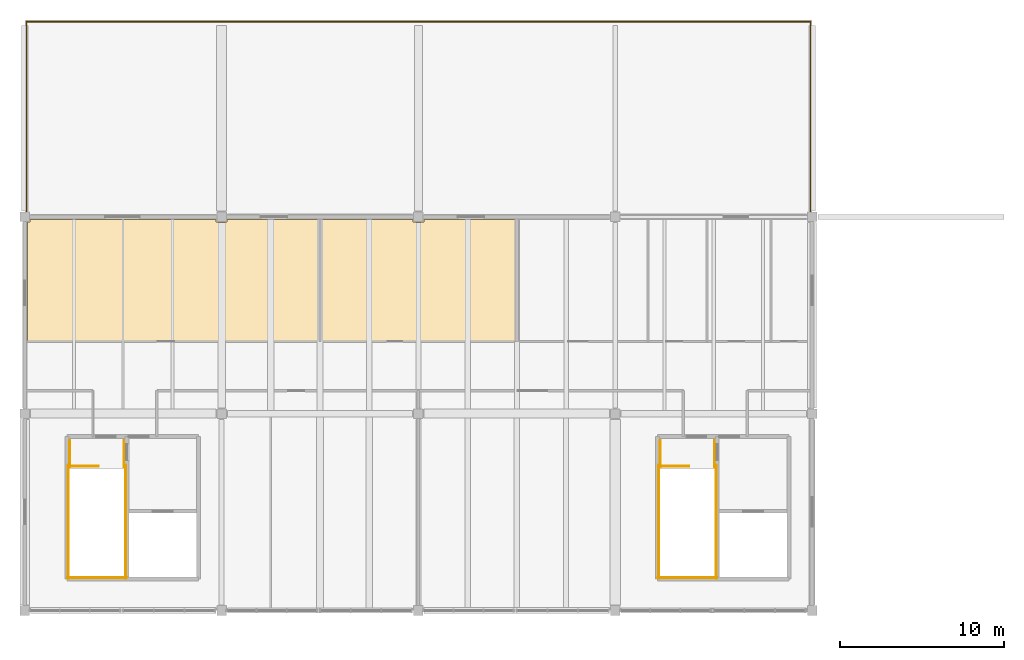
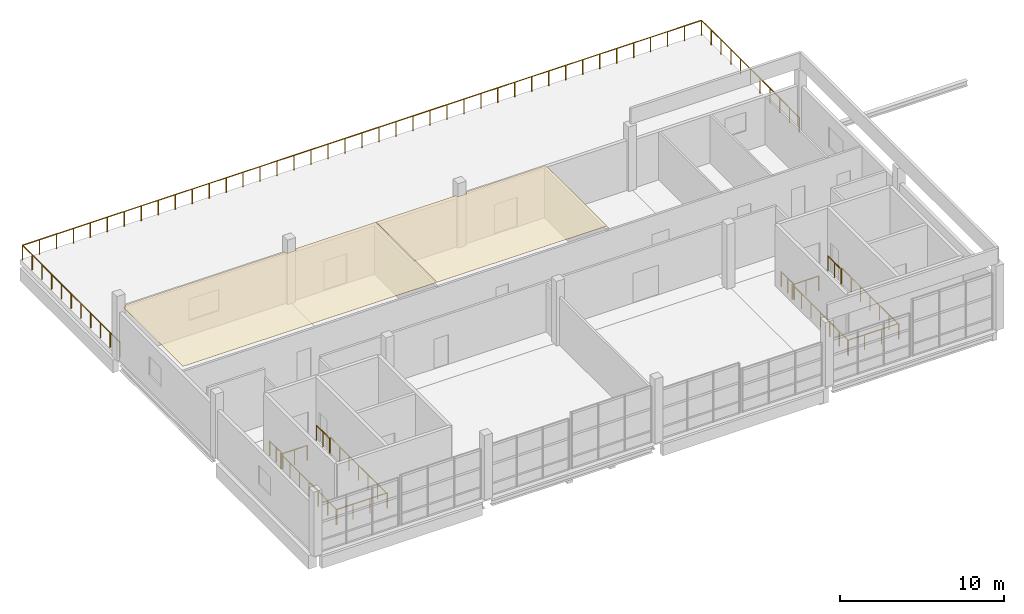
# One storey, part 8 of 8: 13 railings, 2 coverings.
"""IFC4 building model written with IfcOpenShell, lengths in metres."""

from ifc_helpers import new_model, si_unit, direction, frame, origin, origin_2d, place, context, subcontext, project, spatial, polyline, circle, outline, extrude, material, layer, layer_set, type_object, element, save


model = new_model("IFC4")

# Units and contexts
model_context = context("Model", 3, precision=1e-05, world=origin(), true_north=direction((0.0, 1.0)))
body_context = subcontext(model_context, "Body", "Model", "MODEL_VIEW")
ifc_project = project(units=[si_unit("LENGTHUNIT", "METRE"), si_unit("AREAUNIT", "SQUARE_METRE"), si_unit("VOLUMEUNIT", "CUBIC_METRE"), si_unit("PLANEANGLEUNIT", "RADIAN"), si_unit("MASSUNIT", "GRAM", prefix="KILO")], contexts=[model_context])

# Site, building, storey
site_placement = place(None, origin())
site = spatial("IfcSite", under=ifc_project, at=site_placement, CompositionType="ELEMENT")
building_placement = place(site_placement, origin())
building = spatial("IfcBuilding", under=site, at=building_placement, Name="Kamomehara Wholesale Market", CompositionType="ELEMENT")
storey_placement = place(building_placement, frame((0.0, 0.0, 16.199951171875)))
storey = spatial("IfcBuildingStorey", under=building, at=storey_placement, Name="L03", CompositionType="ELEMENT", Elevation=16.199951171875)

# Coverings
ifc_material_1 = material(Name="Acoustic mineral ceiling tile")
ifc_layer_1 = layer(ifc_material_1, 0.02490234375)
ifc_layer_set_1 = layer_set([ifc_layer_1], Name="Acoustic mineral ceiling tile")
covering_type_1 = type_object("IfcCoveringType", Name="COV-CEIL-01", PredefinedType="CEILING", material=ifc_layer_set_1)
covering_1_placement = place(storey_placement, frame((0.0, 0.0, 3.85009765625)))
element("IfcCovering", 1, at=covering_1_placement, inside=storey, type_object=covering_type_1, Name="Acoustic ceiling L03-04", PredefinedType="CEILING", context=body_context, shape_type="SweptSolid", body=[
    extrude(outline(polyline([(108.306884765625, 35.674072265625), (108.30810546875, 35.675048828125), (108.31005859375, 35.676025390625), (108.31103515625, 35.676025390625), (108.31201171875, 35.676025390625), (108.31298828125, 35.677001953125), (108.31298828125, 35.677001953125), (108.31396484375, 35.677978515625), (108.31591796875, 35.679931640625), (108.318115234375, 35.681884765625), (108.320068359375, 35.68408203125), (108.322021484375, 35.68603515625), (108.322998046875, 35.68701171875), (108.322998046875, 35.68701171875), (108.323974609375, 35.68798828125), (108.323974609375, 35.68896484375), (108.323974609375, 35.68994140625), (108.324951171875, 35.69189453125), (108.325927734375, 35.693115234375), (108.326904296875, 35.695068359375), (108.327880859375, 35.697021484375), (108.327880859375, 35.697021484375), (108.3291015625, 35.697998046875), (108.3291015625, 35.698974609375), (108.3291015625, 35.699951171875), (108.3291015625, 35.700927734375), (108.3291015625, 35.701904296875), (108.3291015625, 35.7041015625), (108.330078125, 35.705078125), (108.330078125, 35.7060546875), (108.330078125, 35.70703125), (108.330078125, 35.840087890625), (119.669921875, 35.840087890625), (119.669921875, 35.70703125), (119.669921875, 35.7060546875), (119.669921875, 35.705078125), (119.6708984375, 35.7041015625), (119.6708984375, 35.701904296875), (119.6708984375, 35.700927734375), (119.6708984375, 35.699951171875), (119.6708984375, 35.698974609375), (119.6708984375, 35.697998046875), (119.672119140625, 35.697021484375), (119.672119140625, 35.697021484375), (119.673095703125, 35.695068359375), (119.674072265625, 35.693115234375), (119.675048828125, 35.69189453125), (119.676025390625, 35.68994140625), (119.676025390625, 35.68896484375), (119.676025390625, 35.68798828125), (119.677001953125, 35.68701171875), (119.677001953125, 35.68701171875), (119.677978515625, 35.68603515625), (119.679931640625, 35.68408203125), (119.681884765625, 35.681884765625), (119.68408203125, 35.679931640625), (119.68603515625, 35.677978515625), (119.68701171875, 35.677001953125), (119.68701171875, 35.677001953125), (119.68798828125, 35.676025390625), (119.68896484375, 35.676025390625), (119.68994140625, 35.676025390625), (119.69189453125, 35.675048828125), (119.693115234375, 35.674072265625), (119.695068359375, 35.673095703125), (119.697021484375, 35.672119140625), (119.697021484375, 35.672119140625), (119.697998046875, 35.6708984375), (119.698974609375, 35.6708984375), (119.699951171875, 35.6708984375), (119.700927734375, 35.6708984375), (119.701904296875, 35.6708984375), (119.7041015625, 35.6708984375), (119.705078125, 35.669921875), (119.7060546875, 35.669921875), (119.70703125, 35.669921875), (120.29296875, 35.669921875), (120.2939453125, 35.669921875), (120.294921875, 35.669921875), (120.2958984375, 35.6708984375), (120.298095703125, 35.6708984375), (120.299072265625, 35.6708984375), (120.300048828125, 35.6708984375), (120.301025390625, 35.6708984375), (120.302001953125, 35.6708984375), (120.302978515625, 35.672119140625), (120.302978515625, 35.672119140625), (120.304931640625, 35.673095703125), (120.306884765625, 35.674072265625), (120.30810546875, 35.675048828125), (120.31005859375, 35.676025390625), (120.31103515625, 35.676025390625), (120.31201171875, 35.676025390625), (120.31298828125, 35.677001953125), (120.31298828125, 35.677001953125), (120.31396484375, 35.677978515625), (120.31591796875, 35.679931640625), (120.318115234375, 35.681884765625), (120.320068359375, 35.68408203125), (120.322021484375, 35.68603515625), (120.322998046875, 35.68701171875), (120.322998046875, 35.68701171875), (120.323974609375, 35.68798828125), (120.323974609375, 35.68896484375), (120.323974609375, 35.68994140625), (120.324951171875, 35.69189453125), (120.325927734375, 35.693115234375), (120.326904296875, 35.695068359375), (120.327880859375, 35.697021484375), (120.327880859375, 35.697021484375), (120.3291015625, 35.697998046875), (120.3291015625, 35.698974609375), (120.3291015625, 35.699951171875), (120.3291015625, 35.700927734375), (120.3291015625, 35.701904296875), (120.3291015625, 35.7041015625), (120.330078125, 35.705078125), (120.330078125, 35.7060546875), (120.330078125, 35.70703125), (120.330078125, 35.840087890625), (125.989990234375, 35.840087890625), (125.989990234375, 28.429931640625), (108.159912109375, 28.429931640625), (108.159912109375, 35.669921875), (108.29296875, 35.669921875), (108.2939453125, 35.669921875), (108.294921875, 35.669921875), (108.2958984375, 35.6708984375), (108.298095703125, 35.6708984375), (108.299072265625, 35.6708984375), (108.300048828125, 35.6708984375), (108.301025390625, 35.6708984375), (108.302001953125, 35.6708984375), (108.302978515625, 35.672119140625), (108.302978515625, 35.672119140625), (108.304931640625, 35.673095703125), (108.306884765625, 35.674072265625)])), origin(), (0.0, 0.0, 1.0), 0.02490234375),
])
ifc_material_2 = material(Name="Acoustic mineral ceiling tile")
ifc_layer_2 = layer(ifc_material_2, 0.034912109375)
ifc_layer_set_2 = layer_set([ifc_layer_2], Name="Acoustic mineral ceiling tile")
covering_type_2 = type_object("IfcCoveringType", Name="COV-CEIL-02", PredefinedType="CEILING", material=ifc_layer_set_2)
covering_2_placement = place(storey_placement, frame((0.0, 0.0, 3.85009765625)))
element("IfcCovering", 2, at=covering_2_placement, inside=storey, type_object=covering_type_2, Name="Acoustic ceiling L03-05", PredefinedType="CEILING", context=body_context, shape_type="SweptSolid", body=[
    extrude(outline(polyline([(131.673095703125, 35.695068359375), (131.674072265625, 35.693115234375), (131.675048828125, 35.69189453125), (131.676025390625, 35.68994140625), (131.676025390625, 35.68896484375), (131.676025390625, 35.68798828125), (131.677001953125, 35.68701171875), (131.677001953125, 35.68701171875), (131.677978515625, 35.68603515625), (131.679931640625, 35.68408203125), (131.681884765625, 35.681884765625), (131.68408203125, 35.679931640625), (131.68603515625, 35.677978515625), (131.68701171875, 35.677001953125), (131.68701171875, 35.677001953125), (131.68798828125, 35.676025390625), (131.68896484375, 35.676025390625), (131.68994140625, 35.676025390625), (131.69189453125, 35.675048828125), (131.693115234375, 35.674072265625), (131.695068359375, 35.673095703125), (131.697021484375, 35.672119140625), (131.697021484375, 35.672119140625), (131.697998046875, 35.6708984375), (131.698974609375, 35.6708984375), (131.699951171875, 35.6708984375), (131.700927734375, 35.6708984375), (131.701904296875, 35.6708984375), (131.7041015625, 35.6708984375), (131.705078125, 35.669921875), (131.7060546875, 35.669921875), (131.70703125, 35.669921875), (132.29296875, 35.669921875), (132.2939453125, 35.669921875), (132.294921875, 35.669921875), (132.2958984375, 35.6708984375), (132.298095703125, 35.6708984375), (132.299072265625, 35.6708984375), (132.300048828125, 35.6708984375), (132.301025390625, 35.6708984375), (132.302001953125, 35.6708984375), (132.302978515625, 35.672119140625), (132.302978515625, 35.672119140625), (132.304931640625, 35.673095703125), (132.306884765625, 35.674072265625), (132.30810546875, 35.675048828125), (132.31005859375, 35.676025390625), (132.31103515625, 35.676025390625), (132.31201171875, 35.676025390625), (132.31298828125, 35.677001953125), (132.31298828125, 35.677001953125), (132.31396484375, 35.677978515625), (132.31591796875, 35.679931640625), (132.318115234375, 35.681884765625), (132.320068359375, 35.68408203125), (132.322021484375, 35.68603515625), (132.322998046875, 35.68701171875), (132.322998046875, 35.68701171875), (132.323974609375, 35.68798828125), (132.323974609375, 35.68896484375), (132.323974609375, 35.68994140625), (132.324951171875, 35.69189453125), (132.325927734375, 35.693115234375), (132.326904296875, 35.695068359375), (132.327880859375, 35.697021484375), (132.327880859375, 35.697021484375), (132.3291015625, 35.697998046875), (132.3291015625, 35.698974609375), (132.3291015625, 35.699951171875), (132.3291015625, 35.700927734375), (132.3291015625, 35.701904296875), (132.3291015625, 35.7041015625), (132.330078125, 35.705078125), (132.330078125, 35.7060546875), (132.330078125, 35.70703125), (132.330078125, 35.840087890625), (137.989990234375, 35.840087890625), (137.989990234375, 28.429931640625), (126.030029296875, 28.429931640625), (126.030029296875, 35.840087890625), (131.669921875, 35.840087890625), (131.669921875, 35.70703125), (131.669921875, 35.7060546875), (131.669921875, 35.705078125), (131.6708984375, 35.7041015625), (131.6708984375, 35.701904296875), (131.6708984375, 35.700927734375), (131.6708984375, 35.699951171875), (131.6708984375, 35.698974609375), (131.6708984375, 35.697998046875), (131.672119140625, 35.697021484375), (131.672119140625, 35.697021484375), (131.673095703125, 35.695068359375)])), origin(), (0.0, 0.0, 1.0), 0.02490234375),
])

# Railings
ifc_material_3 = material(Name="Steel SN400B", Category="steel")
railing_type_1 = type_object("IfcRailingType", Name="RAL-EXT-1100", PredefinedType="BALUSTRADE", material=ifc_material_3)
railing_1_placement = place(storey_placement, frame((108.10009765625, 36.0, 0.0)))
element("IfcRailing", 3, at=railing_1_placement, inside=storey, type_object=railing_type_1, Name="Terrace guard OSLB-L03-TER3 8", PredefinedType="BALUSTRADE", context=body_context, shape_type="SweptSolid", body=[
    extrude(circle(Radius=0.02392578125, at=origin_2d()), frame((0.0, 0.0, 1.09619140625), z_axis=(0.0, 1.0, 0.0), x_axis=(-1.0, 0.0, 0.0)), (0.0, 0.0, 1.0), 11.89990234375),
    extrude(circle(Radius=0.02392578125, at=origin_2d()), frame((0.0, 11.89990234375, 1.09619140625), z_axis=(1.0, 0.0, 0.0), x_axis=(0.0, 1.0, 0.0)), (0.0, 0.0, 1.0), 47.7998046875),
    extrude(circle(Radius=0.02392578125, at=origin_2d()), frame((47.7998046875, 11.89990234375, 1.09619140625), z_axis=(0.0, -1.0, 0.0), x_axis=(1.0, 0.0, 0.0)), (0.0, 0.0, 1.0), 11.89990234375),
    extrude(circle(Radius=0.02099609375, at=origin_2d()), origin(), (0.0, 0.0, 1.0), 1.072021484375),
    extrude(circle(Radius=0.02099609375, at=origin_2d()), frame((0.0, 1.18994140625, 0.0)), (0.0, 0.0, 1.0), 1.072021484375),
    extrude(circle(Radius=0.02099609375, at=origin_2d()), frame((0.0, 2.3798828125, 0.0)), (0.0, 0.0, 1.0), 1.072021484375),
    extrude(circle(Radius=0.02099609375, at=origin_2d()), frame((0.0, 3.570068359375, 0.0)), (0.0, 0.0, 1.0), 1.072021484375),
    extrude(circle(Radius=0.02099609375, at=origin_2d()), frame((0.0, 4.760009765625, 0.0)), (0.0, 0.0, 1.0), 1.072021484375),
    extrude(circle(Radius=0.02099609375, at=origin_2d()), frame((0.0, 5.949951171875, 0.0)), (0.0, 0.0, 1.0), 1.072021484375),
    extrude(circle(Radius=0.02099609375, at=origin_2d()), frame((0.0, 7.139892578125, 0.0)), (0.0, 0.0, 1.0), 1.072021484375),
    extrude(circle(Radius=0.02099609375, at=origin_2d()), frame((0.0, 8.329833984375, 0.0)), (0.0, 0.0, 1.0), 1.072021484375),
    extrude(circle(Radius=0.02099609375, at=origin_2d()), frame((0.0, 9.52001953125, 0.0)), (0.0, 0.0, 1.0), 1.072021484375),
    extrude(circle(Radius=0.02099609375, at=origin_2d()), frame((0.0, 10.7099609375, 0.0)), (0.0, 0.0, 1.0), 1.072021484375),
    extrude(circle(Radius=0.02099609375, at=origin_2d()), frame((0.0, 11.89990234375, 0.0)), (0.0, 0.0, 1.0), 1.072021484375),
    extrude(circle(Radius=0.02099609375, at=origin_2d()), frame((1.195068359375, 11.89990234375, 0.0)), (0.0, 0.0, 1.0), 1.072021484375),
    extrude(circle(Radius=0.02099609375, at=origin_2d()), frame((2.389892578125, 11.89990234375, 0.0)), (0.0, 0.0, 1.0), 1.072021484375),
    extrude(circle(Radius=0.02099609375, at=origin_2d()), frame((3.5849609375, 11.89990234375, 0.0)), (0.0, 0.0, 1.0), 1.072021484375),
    extrude(circle(Radius=0.02099609375, at=origin_2d()), frame((4.780029296875, 11.89990234375, 0.0)), (0.0, 0.0, 1.0), 1.072021484375),
    extrude(circle(Radius=0.02099609375, at=origin_2d()), frame((5.97509765625, 11.89990234375, 0.0)), (0.0, 0.0, 1.0), 1.072021484375),
    extrude(circle(Radius=0.02099609375, at=origin_2d()), frame((7.169921875, 11.89990234375, 0.0)), (0.0, 0.0, 1.0), 1.072021484375),
    extrude(circle(Radius=0.02099609375, at=origin_2d()), frame((8.364990234375, 11.89990234375, 0.0)), (0.0, 0.0, 1.0), 1.072021484375),
    extrude(circle(Radius=0.02099609375, at=origin_2d()), frame((9.56005859375, 11.89990234375, 0.0)), (0.0, 0.0, 1.0), 1.072021484375),
    extrude(circle(Radius=0.02099609375, at=origin_2d()), frame((10.7548828125, 11.89990234375, 0.0)), (0.0, 0.0, 1.0), 1.072021484375),
    extrude(circle(Radius=0.02099609375, at=origin_2d()), frame((11.949951171875, 11.89990234375, 0.0)), (0.0, 0.0, 1.0), 1.072021484375),
    extrude(circle(Radius=0.02099609375, at=origin_2d()), frame((13.14501953125, 11.89990234375, 0.0)), (0.0, 0.0, 1.0), 1.072021484375),
    extrude(circle(Radius=0.02099609375, at=origin_2d()), frame((14.33984375, 11.89990234375, 0.0)), (0.0, 0.0, 1.0), 1.072021484375),
    extrude(circle(Radius=0.02099609375, at=origin_2d()), frame((15.534912109375, 11.89990234375, 0.0)), (0.0, 0.0, 1.0), 1.072021484375),
    extrude(circle(Radius=0.02099609375, at=origin_2d()), frame((16.72998046875, 11.89990234375, 0.0)), (0.0, 0.0, 1.0), 1.072021484375),
    extrude(circle(Radius=0.02099609375, at=origin_2d()), frame((17.9248046875, 11.89990234375, 0.0)), (0.0, 0.0, 1.0), 1.072021484375),
    extrude(circle(Radius=0.02099609375, at=origin_2d()), frame((19.119873046875, 11.89990234375, 0.0)), (0.0, 0.0, 1.0), 1.072021484375),
    extrude(circle(Radius=0.02099609375, at=origin_2d()), frame((20.31494140625, 11.89990234375, 0.0)), (0.0, 0.0, 1.0), 1.072021484375),
    extrude(circle(Radius=0.02099609375, at=origin_2d()), frame((21.510009765625, 11.89990234375, 0.0)), (0.0, 0.0, 1.0), 1.072021484375),
    extrude(circle(Radius=0.02099609375, at=origin_2d()), frame((22.704833984375, 11.89990234375, 0.0)), (0.0, 0.0, 1.0), 1.072021484375),
    extrude(circle(Radius=0.02099609375, at=origin_2d()), frame((23.89990234375, 11.89990234375, 0.0)), (0.0, 0.0, 1.0), 1.072021484375),
    extrude(circle(Radius=0.02099609375, at=origin_2d()), frame((25.094970703125, 11.89990234375, 0.0)), (0.0, 0.0, 1.0), 1.072021484375),
    extrude(circle(Radius=0.02099609375, at=origin_2d()), frame((26.289794921875, 11.89990234375, 0.0)), (0.0, 0.0, 1.0), 1.072021484375),
    extrude(circle(Radius=0.02099609375, at=origin_2d()), frame((27.48486328125, 11.89990234375, 0.0)), (0.0, 0.0, 1.0), 1.072021484375),
    extrude(circle(Radius=0.02099609375, at=origin_2d()), frame((28.679931640625, 11.89990234375, 0.0)), (0.0, 0.0, 1.0), 1.072021484375),
    extrude(circle(Radius=0.02099609375, at=origin_2d()), frame((29.875, 11.89990234375, 0.0)), (0.0, 0.0, 1.0), 1.072021484375),
    extrude(circle(Radius=0.02099609375, at=origin_2d()), frame((31.06982421875, 11.89990234375, 0.0)), (0.0, 0.0, 1.0), 1.072021484375),
    extrude(circle(Radius=0.02099609375, at=origin_2d()), frame((32.264892578125, 11.89990234375, 0.0)), (0.0, 0.0, 1.0), 1.072021484375),
    extrude(circle(Radius=0.02099609375, at=origin_2d()), frame((33.4599609375, 11.89990234375, 0.0)), (0.0, 0.0, 1.0), 1.072021484375),
    extrude(circle(Radius=0.02099609375, at=origin_2d()), frame((34.65478515625, 11.89990234375, 0.0)), (0.0, 0.0, 1.0), 1.072021484375),
    extrude(circle(Radius=0.02099609375, at=origin_2d()), frame((35.849853515625, 11.89990234375, 0.0)), (0.0, 0.0, 1.0), 1.072021484375),
    extrude(circle(Radius=0.02099609375, at=origin_2d()), frame((37.044921875, 11.89990234375, 0.0)), (0.0, 0.0, 1.0), 1.072021484375),
    extrude(circle(Radius=0.02099609375, at=origin_2d()), frame((38.23974609375, 11.89990234375, 0.0)), (0.0, 0.0, 1.0), 1.072021484375),
    extrude(circle(Radius=0.02099609375, at=origin_2d()), frame((39.434814453125, 11.89990234375, 0.0)), (0.0, 0.0, 1.0), 1.072021484375),
    extrude(circle(Radius=0.02099609375, at=origin_2d()), frame((40.6298828125, 11.89990234375, 0.0)), (0.0, 0.0, 1.0), 1.072021484375),
    extrude(circle(Radius=0.02099609375, at=origin_2d()), frame((41.82470703125, 11.89990234375, 0.0)), (0.0, 0.0, 1.0), 1.072021484375),
    extrude(circle(Radius=0.02099609375, at=origin_2d()), frame((43.019775390625, 11.89990234375, 0.0)), (0.0, 0.0, 1.0), 1.072021484375),
    extrude(circle(Radius=0.02099609375, at=origin_2d()), frame((44.21484375, 11.89990234375, 0.0)), (0.0, 0.0, 1.0), 1.072021484375),
    extrude(circle(Radius=0.02099609375, at=origin_2d()), frame((45.409912109375, 11.89990234375, 0.0)), (0.0, 0.0, 1.0), 1.072021484375),
    extrude(circle(Radius=0.02099609375, at=origin_2d()), frame((46.604736328125, 11.89990234375, 0.0)), (0.0, 0.0, 1.0), 1.072021484375),
    extrude(circle(Radius=0.02099609375, at=origin_2d()), frame((47.7998046875, 11.89990234375, 0.0)), (0.0, 0.0, 1.0), 1.072021484375),
    extrude(circle(Radius=0.02099609375, at=origin_2d()), frame((47.7998046875, 10.7099609375, 0.0)), (0.0, 0.0, 1.0), 1.072021484375),
    extrude(circle(Radius=0.02099609375, at=origin_2d()), frame((47.7998046875, 9.52001953125, 0.0)), (0.0, 0.0, 1.0), 1.072021484375),
    extrude(circle(Radius=0.02099609375, at=origin_2d()), frame((47.7998046875, 8.329833984375, 0.0)), (0.0, 0.0, 1.0), 1.072021484375),
    extrude(circle(Radius=0.02099609375, at=origin_2d()), frame((47.7998046875, 7.139892578125, 0.0)), (0.0, 0.0, 1.0), 1.072021484375),
    extrude(circle(Radius=0.02099609375, at=origin_2d()), frame((47.7998046875, 5.949951171875, 0.0)), (0.0, 0.0, 1.0), 1.072021484375),
    extrude(circle(Radius=0.02099609375, at=origin_2d()), frame((47.7998046875, 4.760009765625, 0.0)), (0.0, 0.0, 1.0), 1.072021484375),
    extrude(circle(Radius=0.02099609375, at=origin_2d()), frame((47.7998046875, 3.570068359375, 0.0)), (0.0, 0.0, 1.0), 1.072021484375),
    extrude(circle(Radius=0.02099609375, at=origin_2d()), frame((47.7998046875, 2.3798828125, 0.0)), (0.0, 0.0, 1.0), 1.072021484375),
    extrude(circle(Radius=0.02099609375, at=origin_2d()), frame((47.7998046875, 1.18994140625, 0.0)), (0.0, 0.0, 1.0), 1.072021484375),
    extrude(circle(Radius=0.02099609375, at=origin_2d()), frame((47.7998046875, 0.0, 0.0)), (0.0, 0.0, 1.0), 1.072021484375),
])
ifc_material_4 = material(Name="Steel SN400B", Category="steel")
railing_type_2 = type_object("IfcRailingType", Name="RAL-INT-1100", PredefinedType="BALUSTRADE", material=ifc_material_4)
railing_2_placement = place(storey_placement, frame((110.699951171875, 20.800048828125, 0.0)))
element("IfcRailing", 4, at=railing_2_placement, inside=storey, type_object=railing_type_2, Name="L03 ST-07 top well guard 1", PredefinedType="BALUSTRADE", context=body_context, shape_type="SweptSolid", body=[
    extrude(circle(Radius=0.02392578125, at=origin_2d()), frame((0.0, 0.0, 1.09619140625), z_axis=(1.0, 0.0, 0.0), x_axis=(0.0, 1.0, 0.0)), (0.0, 0.0, 1.0), 1.800048828125),
    extrude(circle(Radius=0.02099609375, at=origin_2d()), origin(), (0.0, 0.0, 1.0), 1.072021484375),
    extrude(circle(Radius=0.02099609375, at=origin_2d()), frame((0.89990234375, 0.0, 0.0)), (0.0, 0.0, 1.0), 1.072021484375),
    extrude(circle(Radius=0.02099609375, at=origin_2d()), frame((1.800048828125, 0.0, 0.0)), (0.0, 0.0, 1.0), 1.072021484375),
])
for number, where, name in (
    (5, (110.64990234375, 20.85009765625, 0.0), "L03 ST-07 top well guard 2"),
    (6, (114.14990234375, 20.85009765625, 0.0), "L03 ST-07 top well guard 3"),
):
    element("IfcRailing", number, at=place(storey_placement, frame(where)), inside=storey, type_object=railing_type_2, Name=name, PredefinedType="BALUSTRADE", context=body_context, shape_type="SweptSolid", body=[
        extrude(circle(Radius=0.02392578125, at=origin_2d()), frame((0.0, 0.0, 1.09619140625), z_axis=(0.0, -1.0, 0.0), x_axis=(1.0, 0.0, 0.0)), (0.0, 0.0, 1.0), 6.900146484375),
        extrude(circle(Radius=0.02099609375, at=origin_2d()), origin(), (0.0, 0.0, 1.0), 1.072021484375),
        extrude(circle(Radius=0.02099609375, at=origin_2d()), frame((0.0, -1.14990234375, 0.0)), (0.0, 0.0, 1.0), 1.072021484375),
        extrude(circle(Radius=0.02099609375, at=origin_2d()), frame((0.0, -2.300048828125, 0.0)), (0.0, 0.0, 1.0), 1.072021484375),
        extrude(circle(Radius=0.02099609375, at=origin_2d()), frame((0.0, -3.4501953125, 0.0)), (0.0, 0.0, 1.0), 1.072021484375),
        extrude(circle(Radius=0.02099609375, at=origin_2d()), frame((0.0, -4.60009765625, 0.0)), (0.0, 0.0, 1.0), 1.072021484375),
        extrude(circle(Radius=0.02099609375, at=origin_2d()), frame((0.0, -5.75, 0.0)), (0.0, 0.0, 1.0), 1.072021484375),
        extrude(circle(Radius=0.02099609375, at=origin_2d()), frame((0.0, -6.900146484375, 0.0)), (0.0, 0.0, 1.0), 1.072021484375),
    ])
railing_3_placement = place(storey_placement, frame((110.60009765625, 14.0, 0.0)))
element("IfcRailing", 7, at=railing_3_placement, inside=storey, type_object=railing_type_2, Name="L03 ST-07 top well guard 4", PredefinedType="BALUSTRADE", context=body_context, shape_type="SweptSolid", body=[
    extrude(circle(Radius=0.02392578125, at=origin_2d()), frame((0.0, 0.0, 1.09619140625), z_axis=(1.0, 0.0, 0.0), x_axis=(0.0, 1.0, 0.0)), (0.0, 0.0, 1.0), 3.599853515625),
    extrude(circle(Radius=0.02099609375, at=origin_2d()), origin(), (0.0, 0.0, 1.0), 1.072021484375),
    extrude(circle(Radius=0.02099609375, at=origin_2d()), frame((1.199951171875, 0.0, 0.0)), (0.0, 0.0, 1.0), 1.072021484375),
    extrude(circle(Radius=0.02099609375, at=origin_2d()), frame((2.39990234375, 0.0, 0.0)), (0.0, 0.0, 1.0), 1.072021484375),
    extrude(circle(Radius=0.02099609375, at=origin_2d()), frame((3.599853515625, 0.0, 0.0)), (0.0, 0.0, 1.0), 1.072021484375),
])
for number, where, name in (
    (8, (110.75, 22.35009765625, 0.0), "L03 ST-07 top well guard 5"),
    (9, (114.050048828125, 22.35009765625, 0.0), "L03 ST-07 top well guard 6"),
):
    element("IfcRailing", number, at=place(storey_placement, frame(where)), inside=storey, type_object=railing_type_2, Name=name, PredefinedType="BALUSTRADE", context=body_context, shape_type="SweptSolid", body=[
        extrude(circle(Radius=0.02392578125, at=origin_2d()), frame((0.0, 0.0, 1.09619140625), z_axis=(0.0, -1.0, 0.0), x_axis=(1.0, 0.0, 0.0)), (0.0, 0.0, 1.0), 1.60009765625),
        extrude(circle(Radius=0.02099609375, at=origin_2d()), origin(), (0.0, 0.0, 1.0), 1.072021484375),
        extrude(circle(Radius=0.02099609375, at=origin_2d()), frame((0.0, -0.800048828125, 0.0)), (0.0, 0.0, 1.0), 1.072021484375),
        extrude(circle(Radius=0.02099609375, at=origin_2d()), frame((0.0, -1.60009765625, 0.0)), (0.0, 0.0, 1.0), 1.072021484375),
    ])
railing_4_placement = place(storey_placement, frame((146.699951171875, 20.800048828125, 0.0)))
element("IfcRailing", 10, at=railing_4_placement, inside=storey, type_object=railing_type_2, Name="L03 ST-08 top well guard 1", PredefinedType="BALUSTRADE", context=body_context, shape_type="SweptSolid", body=[
    extrude(circle(Radius=0.02392578125, at=origin_2d()), frame((0.0, 0.0, 1.09619140625), z_axis=(1.0, 0.0, 0.0), x_axis=(0.0, 1.0, 0.0)), (0.0, 0.0, 1.0), 1.800048828125),
    extrude(circle(Radius=0.02099609375, at=origin_2d()), origin(), (0.0, 0.0, 1.0), 1.072021484375),
    extrude(circle(Radius=0.02099609375, at=origin_2d()), frame((0.89990234375, 0.0, 0.0)), (0.0, 0.0, 1.0), 1.072021484375),
    extrude(circle(Radius=0.02099609375, at=origin_2d()), frame((1.800048828125, 0.0, 0.0)), (0.0, 0.0, 1.0), 1.072021484375),
])
for number, where, name in (
    (11, (146.64990234375, 20.85009765625, 0.0), "L03 ST-08 top well guard 2"),
    (12, (150.14990234375, 20.85009765625, 0.0), "L03 ST-08 top well guard 3"),
):
    element("IfcRailing", number, at=place(storey_placement, frame(where)), inside=storey, type_object=railing_type_2, Name=name, PredefinedType="BALUSTRADE", context=body_context, shape_type="SweptSolid", body=[
        extrude(circle(Radius=0.02392578125, at=origin_2d()), frame((0.0, 0.0, 1.09619140625), z_axis=(0.0, -1.0, 0.0), x_axis=(1.0, 0.0, 0.0)), (0.0, 0.0, 1.0), 6.900146484375),
        extrude(circle(Radius=0.02099609375, at=origin_2d()), origin(), (0.0, 0.0, 1.0), 1.072021484375),
        extrude(circle(Radius=0.02099609375, at=origin_2d()), frame((0.0, -1.14990234375, 0.0)), (0.0, 0.0, 1.0), 1.072021484375),
        extrude(circle(Radius=0.02099609375, at=origin_2d()), frame((0.0, -2.300048828125, 0.0)), (0.0, 0.0, 1.0), 1.072021484375),
        extrude(circle(Radius=0.02099609375, at=origin_2d()), frame((0.0, -3.4501953125, 0.0)), (0.0, 0.0, 1.0), 1.072021484375),
        extrude(circle(Radius=0.02099609375, at=origin_2d()), frame((0.0, -4.60009765625, 0.0)), (0.0, 0.0, 1.0), 1.072021484375),
        extrude(circle(Radius=0.02099609375, at=origin_2d()), frame((0.0, -5.75, 0.0)), (0.0, 0.0, 1.0), 1.072021484375),
        extrude(circle(Radius=0.02099609375, at=origin_2d()), frame((0.0, -6.900146484375, 0.0)), (0.0, 0.0, 1.0), 1.072021484375),
    ])
railing_5_placement = place(storey_placement, frame((146.60009765625, 14.0, 0.0)))
element("IfcRailing", 13, at=railing_5_placement, inside=storey, type_object=railing_type_2, Name="L03 ST-08 top well guard 4", PredefinedType="BALUSTRADE", context=body_context, shape_type="SweptSolid", body=[
    extrude(circle(Radius=0.02392578125, at=origin_2d()), frame((0.0, 0.0, 1.09619140625), z_axis=(1.0, 0.0, 0.0), x_axis=(0.0, 1.0, 0.0)), (0.0, 0.0, 1.0), 3.599853515625),
    extrude(circle(Radius=0.02099609375, at=origin_2d()), origin(), (0.0, 0.0, 1.0), 1.072021484375),
    extrude(circle(Radius=0.02099609375, at=origin_2d()), frame((1.199951171875, 0.0, 0.0)), (0.0, 0.0, 1.0), 1.072021484375),
    extrude(circle(Radius=0.02099609375, at=origin_2d()), frame((2.39990234375, 0.0, 0.0)), (0.0, 0.0, 1.0), 1.072021484375),
    extrude(circle(Radius=0.02099609375, at=origin_2d()), frame((3.599853515625, 0.0, 0.0)), (0.0, 0.0, 1.0), 1.072021484375),
])
for number, where, name in (
    (14, (146.75, 22.35009765625, 0.0), "L03 ST-08 top well guard 5"),
    (15, (150.050048828125, 22.35009765625, 0.0), "L03 ST-08 top well guard 6"),
):
    element("IfcRailing", number, at=place(storey_placement, frame(where)), inside=storey, type_object=railing_type_2, Name=name, PredefinedType="BALUSTRADE", context=body_context, shape_type="SweptSolid", body=[
        extrude(circle(Radius=0.02392578125, at=origin_2d()), frame((0.0, 0.0, 1.09619140625), z_axis=(0.0, -1.0, 0.0), x_axis=(1.0, 0.0, 0.0)), (0.0, 0.0, 1.0), 1.60009765625),
        extrude(circle(Radius=0.02099609375, at=origin_2d()), origin(), (0.0, 0.0, 1.0), 1.072021484375),
        extrude(circle(Radius=0.02099609375, at=origin_2d()), frame((0.0, -0.800048828125, 0.0)), (0.0, 0.0, 1.0), 1.072021484375),
        extrude(circle(Radius=0.02099609375, at=origin_2d()), frame((0.0, -1.60009765625, 0.0)), (0.0, 0.0, 1.0), 1.072021484375),
    ])

save(model, "model.ifc")
